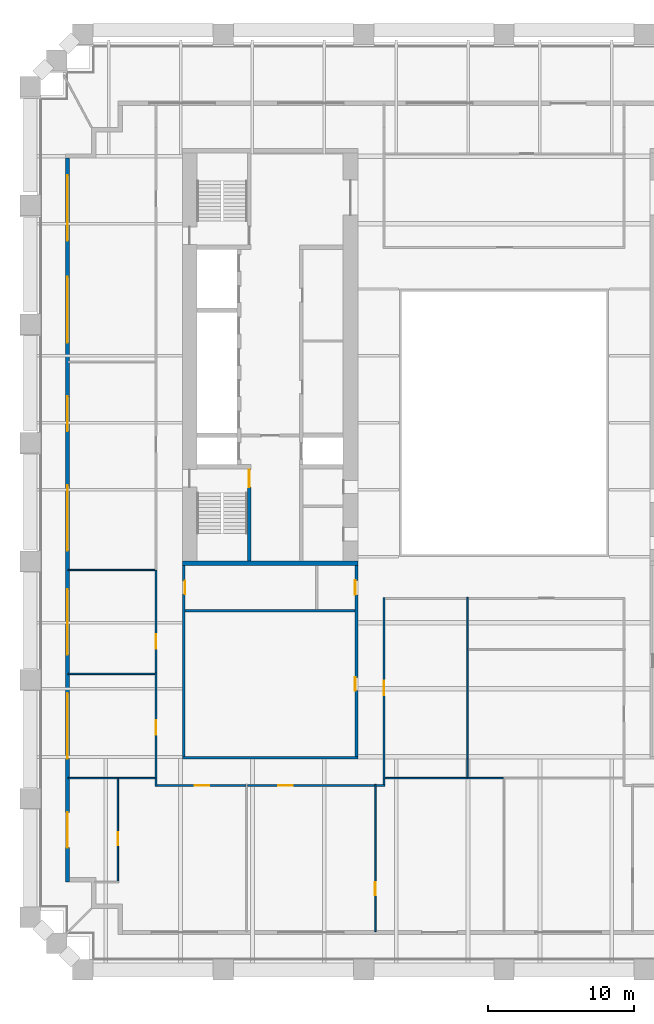
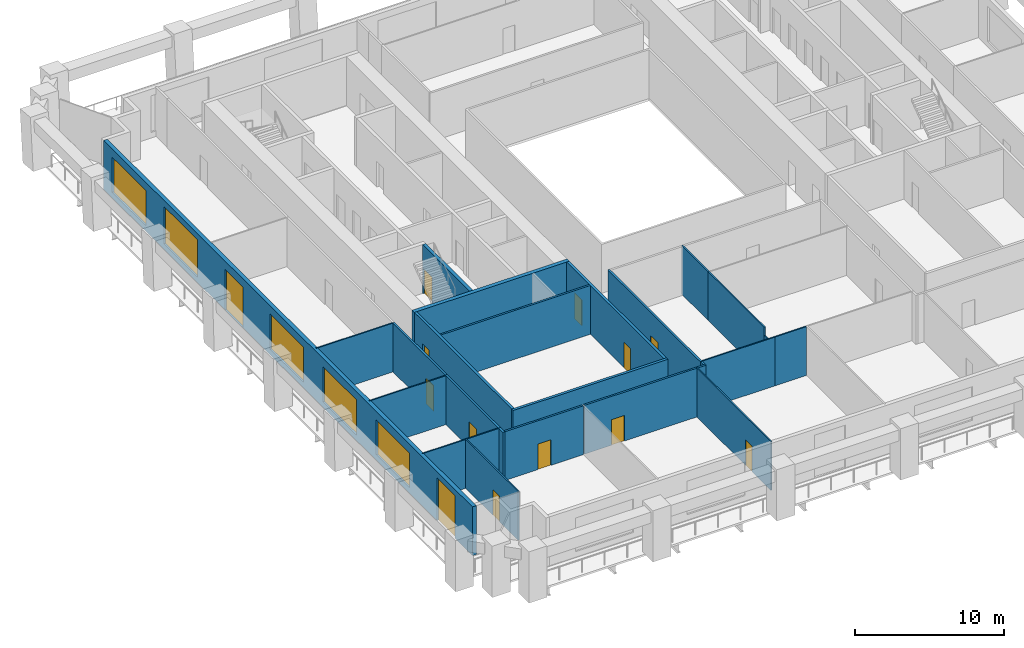
# One storey, part 3 of 9: 26 walls, 13 doors, 5 windows, 18 openings.
"""IFC4 building model written with IfcOpenShell, lengths in metres."""

from ifc_helpers import new_model, si_unit, direction, frame, frame_2d, origin, place, context, subcontext, project, spatial, rectangle, extrude, material, layer, layer_set, type_object, element, fill, save


model = new_model("IFC4")

# Units and contexts
model_context = context("Model", 3, precision=1e-05, world=origin(), true_north=direction((0.0, 1.0)))
body_context = subcontext(model_context, "Body", "Model", "MODEL_VIEW")
ifc_project = project(units=[si_unit("LENGTHUNIT", "METRE"), si_unit("AREAUNIT", "SQUARE_METRE"), si_unit("VOLUMEUNIT", "CUBIC_METRE"), si_unit("PLANEANGLEUNIT", "RADIAN"), si_unit("MASSUNIT", "GRAM", prefix="KILO")], contexts=[model_context])

# Site, building, storey
site_placement = place(None, origin())
site = spatial("IfcSite", under=ifc_project, at=site_placement, CompositionType="ELEMENT")
building_placement = place(site_placement, origin())
building = spatial("IfcBuilding", under=site, at=building_placement, Name="Ogive Exchange Tower", CompositionType="ELEMENT")
storey_placement = place(building_placement, frame((0.0, 0.0, 56.39990234375)))
storey = spatial("IfcBuildingStorey", under=building, at=storey_placement, Name="L11", CompositionType="ELEMENT", Elevation=56.39990234375)

# Walls
ifc_material_1 = material(Name="Gypsum board partition")
ifc_layer_1 = layer(ifc_material_1, 0.14990234375)
ifc_layer_set_1 = layer_set([ifc_layer_1], Name="Core room partition 150 gypsum")
wall_type_1 = type_object("IfcWallType", Name="Core room partition 150 gypsum", PredefinedType="PARTITIONING", material=ifc_layer_set_1)
wall_1_placement = place(storey_placement, frame((-21.800048828125, -5.85009765625, 0.0), z_axis=(0.0, 0.0, 1.0), x_axis=(1.0, 0.0, 0.0)))
element("IfcWall", 1, at=wall_1_placement, inside=storey, type_object=wall_type_1, Name="W annex S wc strip wall 00", PredefinedType="PARTITIONING", context=body_context, shape_type="SweptSolid", body=[
    extrude(rectangle(XDim=11.60009765625, YDim=0.14990234375, at=frame_2d((5.800048828125, 0.0))), origin(), (0.0, 0.0, 1.0), 4.0),
])
ifc_material_2 = material(Name="Fire partition EI 60 150")
ifc_layer_2 = layer(ifc_material_2, 0.14990234375)
ifc_layer_set_2 = layer_set([ifc_layer_2], Name="Fire partition EI 60 150")
wall_type_2 = type_object("IfcWallType", Name="Fire partition EI 60 150", PredefinedType="PARTITIONING", material=ifc_layer_set_2)
wall_2_placement = place(storey_placement, frame((-23.800048828125, -17.875, 0.0), z_axis=(0.0, 0.0, 1.0), x_axis=(0.0, 1.0, 0.0)))
element("IfcWall", 2, at=wall_2_placement, inside=storey, type_object=wall_type_2, Name="L11-PWL-004", PredefinedType="PARTITIONING", context=body_context, shape_type="SweptSolid", body=[
    extrude(rectangle(XDim=0.5849609375, YDim=0.14990234375, at=frame_2d((0.29248046875, 0.0))), origin(), (0.0, 0.0, 1.0), 4.0),
])

# Wall, opening, door
wall_3_placement = place(storey_placement, frame((-23.800048828125, -17.2900390625, 0.0), z_axis=(0.0, 0.0, 1.0), x_axis=(0.0, 1.0, 0.0)))
wall_3 = element("IfcWall", 3, at=wall_3_placement, inside=storey, type_object=wall_type_2, Name="L11-PWL-006", PredefinedType="PARTITIONING", context=body_context, shape_type="SweptSolid", body=[
    extrude(rectangle(XDim=7.169921875, YDim=0.14990234375, at=frame_2d((3.5849609375, 0.0))), origin(), (0.0, 0.0, 1.0), 4.0),
])
opening_1_placement = place(wall_3_placement, frame((2.969970703125, 0.0, 0.0)))
opening_1 = element("IfcOpeningElement", 4, at=opening_1_placement, cuts=wall_3, Name="Opening L11-I13", PredefinedType="OPENING", context=body_context, shape_type="SweptSolid", body=[
    extrude(rectangle(XDim=1.0, YDim=2.10009765625, at=frame_2d((0.5, 1.050048828125))), frame((0.0, 0.0849609375, 0.0), z_axis=(0.0, -1.0, 0.0), x_axis=(1.0, 0.0, 0.0)), (0.0, 0.0, 1.0), 0.169921875),
])
ifc_material_3 = material(Name="Fire door FD 30S 1000 x 2100")
door_type_1 = type_object("IfcDoorType", Name="Fire door FD 30S 1000 x 2100", OperationType="NOTDEFINED", PredefinedType="DOOR", material=ifc_material_3)
door_1_placement = place(opening_1_placement, origin())
door_1 = element("IfcDoor", 5, at=door_1_placement, inside=storey, type_object=door_type_1, Name="L11-IDR-013", ObjectType="DT3", OperationType="SINGLE_SWING_LEFT", OverallHeight=2.10009765625, OverallWidth=1.0, PredefinedType="DOOR", context=body_context, shape_type="SweptSolid", body=[
    extrude(rectangle(XDim=1.0, YDim=2.10009765625, at=frame_2d((0.5, 1.050048828125))), frame((0.0, 0.02490234375, 0.0), z_axis=(0.0, -1.0, 0.0), x_axis=(1.0, 0.0, 0.0)), (0.0, 0.0, 1.0), 0.050048828125),
])
fill(opening_1, door_1)

wall_4_placement = place(storey_placement, frame((-23.800048828125, -10.1201171875, 0.0), z_axis=(0.0, 0.0, 1.0), x_axis=(0.0, 1.0, 0.0)))
wall_4 = element("IfcWall", 6, at=wall_4_placement, inside=storey, type_object=wall_type_2, Name="L11-PWL-008", PredefinedType="PARTITIONING", context=body_context, shape_type="SweptSolid", body=[
    extrude(rectangle(XDim=7.06005859375, YDim=0.14990234375, at=frame_2d((3.530029296875, 0.0))), origin(), (0.0, 0.0, 1.0), 4.0),
])
opening_2_placement = place(wall_4_placement, frame((1.659912109375, 0.0, 0.0)))
opening_2 = element("IfcOpeningElement", 7, at=opening_2_placement, cuts=wall_4, Name="Opening L11-I12", PredefinedType="OPENING", context=body_context, shape_type="SweptSolid", body=[
    extrude(rectangle(XDim=1.0, YDim=2.10009765625, at=frame_2d((0.5, 1.050048828125))), frame((0.0, 0.0849609375, 0.0), z_axis=(0.0, -1.0, 0.0), x_axis=(1.0, 0.0, 0.0)), (0.0, 0.0, 1.0), 0.169921875),
])
door_2_placement = place(opening_2_placement, origin())
door_2 = element("IfcDoor", 8, at=door_2_placement, inside=storey, type_object=door_type_1, Name="L11-IDR-012", ObjectType="DT3", OperationType="SINGLE_SWING_RIGHT", OverallHeight=2.10009765625, OverallWidth=1.0, PredefinedType="DOOR", context=body_context, shape_type="SweptSolid", body=[
    extrude(rectangle(XDim=1.0, YDim=2.10009765625, at=frame_2d((0.5, 1.050048828125))), frame((0.0, 0.02490234375, 0.0), z_axis=(0.0, -1.0, 0.0), x_axis=(1.0, 0.0, 0.0)), (0.0, 0.0, 1.0), 0.050048828125),
])
fill(opening_2, door_2)

wall_5_placement = place(storey_placement, frame((-17.64990234375, -17.800048828125, 0.0), z_axis=(0.0, 0.0, 1.0), x_axis=(-1.0, 0.0, 0.0)))
wall_5 = element("IfcWall", 9, at=wall_5_placement, inside=storey, type_object=wall_type_2, Name="L11-PWL-015", PredefinedType="PARTITIONING", context=body_context, shape_type="SweptSolid", body=[
    extrude(rectangle(XDim=6.0751953125, YDim=0.14990234375, at=frame_2d((3.03759765625, 0.0))), origin(), (0.0, 0.0, 1.0), 4.0),
])
opening_3_placement = place(wall_5_placement, frame((2.5, 0.0, 0.0)))
opening_3 = element("IfcOpeningElement", 10, at=opening_3_placement, cuts=wall_5, Name="Opening L11-I20", PredefinedType="OPENING", context=body_context, shape_type="SweptSolid", body=[
    extrude(rectangle(XDim=1.0, YDim=2.10009765625, at=frame_2d((0.5, 1.050048828125))), frame((0.0, 0.0849609375, 0.0), z_axis=(0.0, -1.0, 0.0), x_axis=(1.0, 0.0, 0.0)), (0.0, 0.0, 1.0), 0.169921875),
])
door_3_placement = place(opening_3_placement, origin())
door_3 = element("IfcDoor", 11, at=door_3_placement, inside=storey, type_object=door_type_1, Name="L11-IDR-020", ObjectType="DT3", OperationType="SINGLE_SWING_RIGHT", OverallHeight=2.10009765625, OverallWidth=1.0, PredefinedType="DOOR", context=body_context, shape_type="SweptSolid", body=[
    extrude(rectangle(XDim=1.0, YDim=2.10009765625, at=frame_2d((0.5, 1.050048828125))), frame((0.0, 0.02490234375, 0.0), z_axis=(0.0, -1.0, 0.0), x_axis=(1.0, 0.0, 0.0)), (0.0, 0.0, 1.0), 0.050048828125),
])
fill(opening_3, door_3)

wall_6_placement = place(storey_placement, frame((-8.85009765625, -17.800048828125, 0.0), z_axis=(0.0, 0.0, 1.0), x_axis=(-1.0, 0.0, 0.0)))
wall_6 = element("IfcWall", 12, at=wall_6_placement, inside=storey, type_object=wall_type_2, Name="L11-PWL-017", PredefinedType="PARTITIONING", context=body_context, shape_type="SweptSolid", body=[
    extrude(rectangle(XDim=8.699951171875, YDim=0.14990234375, at=frame_2d((4.35009765625, 0.0))), origin(), (0.0, 0.0, 1.0), 4.0),
])
opening_4_placement = place(wall_6_placement, frame((5.60009765625, 0.0, 0.0)))
opening_4 = element("IfcOpeningElement", 13, at=opening_4_placement, cuts=wall_6, Name="Opening L11-I19", PredefinedType="OPENING", context=body_context, shape_type="SweptSolid", body=[
    extrude(rectangle(XDim=1.0, YDim=2.10009765625, at=frame_2d((0.5, 1.050048828125))), frame((0.0, 0.0849609375, 0.0), z_axis=(0.0, -1.0, 0.0), x_axis=(1.0, 0.0, 0.0)), (0.0, 0.0, 1.0), 0.169921875),
])
door_4_placement = place(opening_4_placement, origin())
door_4 = element("IfcDoor", 14, at=door_4_placement, inside=storey, type_object=door_type_1, Name="L11-IDR-019", ObjectType="DT3", OperationType="SINGLE_SWING_LEFT", OverallHeight=2.10009765625, OverallWidth=1.0, PredefinedType="DOOR", context=body_context, shape_type="SweptSolid", body=[
    extrude(rectangle(XDim=1.0, YDim=2.10009765625, at=frame_2d((0.5, 1.050048828125))), frame((0.0, 0.02490234375, 0.0), z_axis=(0.0, -1.0, 0.0), x_axis=(1.0, 0.0, 0.0)), (0.0, 0.0, 1.0), 0.050048828125),
])
fill(opening_4, door_4)

# Walls
wall_7_placement = place(storey_placement, frame((-8.125, -17.800048828125, 0.0), z_axis=(0.0, 0.0, 1.0), x_axis=(-1.0, 0.0, 0.0)))
element("IfcWall", 15, at=wall_7_placement, inside=storey, type_object=wall_type_2, Name="L11-PWL-019", PredefinedType="PARTITIONING", context=body_context, shape_type="SweptSolid", body=[
    extrude(rectangle(XDim=0.625, YDim=0.14990234375, at=frame_2d((0.3125, 0.0))), origin(), (0.0, 0.0, 1.0), 4.0),
])
wall_8_placement = place(storey_placement, frame((-8.199951171875, -17.340087890625, 0.0), z_axis=(0.0, 0.0, 1.0), x_axis=(0.0, -1.0, 0.0)))
element("IfcWall", 16, at=wall_8_placement, inside=storey, type_object=wall_type_2, Name="L11-PWL-020", PredefinedType="PARTITIONING", context=body_context, shape_type="SweptSolid", body=[
    extrude(rectangle(XDim=0.385009765625, YDim=0.14990234375, at=frame_2d((0.1923828125, 0.0))), origin(), (0.0, 0.0, 1.0), 4.0),
])

# Wall, opening, door
wall_9_placement = place(storey_placement, frame((-8.199951171875, -4.925048828125, 0.0), z_axis=(0.0, 0.0, 1.0), x_axis=(0.0, -1.0, 0.0)))
wall_9 = element("IfcWall", 17, at=wall_9_placement, inside=storey, type_object=wall_type_2, Name="L11-PWL-021", PredefinedType="PARTITIONING", context=body_context, shape_type="SweptSolid", body=[
    extrude(rectangle(XDim=12.4150390625, YDim=0.14990234375, at=frame_2d((6.20751953125, 0.0))), origin(), (0.0, 0.0, 1.0), 4.0),
])
opening_5_placement = place(wall_9_placement, frame((5.715087890625, 0.0, 0.0)))
opening_5 = element("IfcOpeningElement", 18, at=opening_5_placement, cuts=wall_9, Name="Opening L11-I10", PredefinedType="OPENING", context=body_context, shape_type="SweptSolid", body=[
    extrude(rectangle(XDim=1.0, YDim=2.10009765625, at=frame_2d((0.5, 1.050048828125))), frame((0.0, 0.0849609375, 0.0), z_axis=(0.0, -1.0, 0.0), x_axis=(1.0, 0.0, 0.0)), (0.0, 0.0, 1.0), 0.169921875),
])
door_5_placement = place(opening_5_placement, origin())
door_5 = element("IfcDoor", 19, at=door_5_placement, inside=storey, type_object=door_type_1, Name="L11-IDR-010", ObjectType="DT3", OperationType="SINGLE_SWING_LEFT", OverallHeight=2.10009765625, OverallWidth=1.0, PredefinedType="DOOR", context=body_context, shape_type="SweptSolid", body=[
    extrude(rectangle(XDim=1.0, YDim=2.10009765625, at=frame_2d((0.5, 1.050048828125))), frame((0.0, 0.02490234375, 0.0), z_axis=(0.0, -1.0, 0.0), x_axis=(1.0, 0.0, 0.0)), (0.0, 0.0, 1.0), 0.050048828125),
])
fill(opening_5, door_5)

# Wall, openings, doors, windows
ifc_material_4 = material(Name="Precast concrete C40/50", Category="concrete")
ifc_layer_3 = layer(ifc_material_4, 0.300048828125)
ifc_layer_set_3 = layer_set([ifc_layer_3], Name="Limestone-faced wall 300")
wall_type_3 = type_object("IfcWallType", Name="Limestone-faced wall 300", PredefinedType="STANDARD", material=ifc_layer_set_3)
wall_10_placement = place(storey_placement, frame((-29.85009765625, 25.10009765625, 0.0), z_axis=(0.0, 0.0, 1.0), x_axis=(0.0, -1.0, 0.0)))
wall_10 = element("IfcWall", 20, at=wall_10_placement, inside=storey, type_object=wall_type_3, Name="External wall W4", PredefinedType="STANDARD", context=body_context, shape_type="SweptSolid", body=[
    extrude(rectangle(XDim=49.5, YDim=0.300048828125, at=frame_2d((24.75, 0.0))), origin(), (0.0, 0.0, 1.0), 4.0),
])
opening_6_placement = place(wall_10_placement, frame((1.156982421875, 0.0, 0.449951171875)))
opening_6 = element("IfcOpeningElement", 21, at=opening_6_placement, cuts=wall_10, Name="Opening W1D", PredefinedType="OPENING", context=body_context, shape_type="SweptSolid", body=[
    extrude(rectangle(XDim=4.5, YDim=2.875, at=frame_2d((2.25, 1.4375))), frame((0.0, 0.159912109375, 0.0), z_axis=(0.0, -1.0, 0.0), x_axis=(1.0, 0.0, 0.0)), (0.0, 0.0, 1.0), 0.320068359375),
])
opening_7_placement = place(wall_10_placement, frame((8.121337890625, 0.0, 0.449951171875)))
opening_7 = element("IfcOpeningElement", 22, at=opening_7_placement, cuts=wall_10, Name="Opening W1", PredefinedType="OPENING", context=body_context, shape_type="SweptSolid", body=[
    extrude(rectangle(XDim=4.5, YDim=3.050048828125, at=frame_2d((2.25, 1.52490234375))), frame((0.0, 0.159912109375, 0.0), z_axis=(0.0, -1.0, 0.0), x_axis=(1.0, 0.0, 0.0)), (0.0, 0.0, 1.0), 0.320068359375),
])
opening_8_placement = place(wall_10_placement, frame((16.28564453125, 0.0, 0.0)))
opening_8 = element("IfcOpeningElement", 23, at=opening_8_placement, cuts=wall_10, Name="Opening D1C", PredefinedType="OPENING", context=body_context, shape_type="SweptSolid", body=[
    extrude(rectangle(XDim=2.39990234375, YDim=3.324951171875, at=frame_2d((1.199951171875, 1.66259765625))), frame((0.0, 0.159912109375, 0.0), z_axis=(0.0, -1.0, 0.0), x_axis=(1.0, 0.0, 0.0)), (0.0, 0.0, 1.0), 0.320068359375),
])
opening_9_placement = place(wall_10_placement, frame((22.35009765625, 0.0, 0.449951171875)))
opening_9 = element("IfcOpeningElement", 24, at=opening_9_placement, cuts=wall_10, Name="Opening W1D", PredefinedType="OPENING", context=body_context, shape_type="SweptSolid", body=[
    extrude(rectangle(XDim=4.5, YDim=2.875, at=frame_2d((2.25, 1.4375))), frame((0.0, 0.159912109375, 0.0), z_axis=(0.0, -1.0, 0.0), x_axis=(1.0, 0.0, 0.0)), (0.0, 0.0, 1.0), 0.320068359375),
])
opening_10_placement = place(wall_10_placement, frame((29.464111328125, 0.0, 0.449951171875)))
opening_10 = element("IfcOpeningElement", 25, at=opening_10_placement, cuts=wall_10, Name="Opening W1D", PredefinedType="OPENING", context=body_context, shape_type="SweptSolid", body=[
    extrude(rectangle(XDim=4.5, YDim=2.875, at=frame_2d((2.25, 1.4375))), frame((0.0, 0.159912109375, 0.0), z_axis=(0.0, -1.0, 0.0), x_axis=(1.0, 0.0, 0.0)), (0.0, 0.0, 1.0), 0.320068359375),
])
opening_11_placement = place(wall_10_placement, frame((36.57861328125, 0.0, 0.449951171875)))
opening_11 = element("IfcOpeningElement", 26, at=opening_11_placement, cuts=wall_10, Name="Opening W1E", PredefinedType="OPENING", context=body_context, shape_type="SweptSolid", body=[
    extrude(rectangle(XDim=4.5, YDim=2.824951171875, at=frame_2d((2.25, 1.41259765625))), frame((0.0, 0.159912109375, 0.0), z_axis=(0.0, -1.0, 0.0), x_axis=(1.0, 0.0, 0.0)), (0.0, 0.0, 1.0), 0.320068359375),
])
opening_12_placement = place(wall_10_placement, frame((44.742919921875, 0.0, 0.0)))
opening_12 = element("IfcOpeningElement", 27, at=opening_12_placement, cuts=wall_10, Name="Opening D1", PredefinedType="OPENING", context=body_context, shape_type="SweptSolid", body=[
    extrude(rectangle(XDim=2.39990234375, YDim=3.5, at=frame_2d((1.199951171875, 1.75))), frame((0.0, 0.159912109375, 0.0), z_axis=(0.0, -1.0, 0.0), x_axis=(1.0, 0.0, 0.0)), (0.0, 0.0, 1.0), 0.320068359375),
])
ifc_material_5 = material(Name="Clear glass in bronze frame", Category="glass")
door_type_2 = type_object("IfcDoorType", Name="Sliding loggia door 2400 x 3325", OperationType="DOUBLE_DOOR_SLIDING", PredefinedType="DOOR", material=ifc_material_5)
door_6_placement = place(opening_8_placement, origin())
door_6 = element("IfcDoor", 28, at=door_6_placement, inside=storey, type_object=door_type_2, Name="Loggia door W02", OperationType="DOUBLE_DOOR_SLIDING", OverallHeight=3.324951171875, OverallWidth=2.39990234375, PredefinedType="DOOR", context=body_context, shape_type="SweptSolid", body=[
    extrude(rectangle(XDim=2.39990234375, YDim=3.324951171875, at=frame_2d((1.199951171875, 1.66259765625))), frame((0.0, 0.02490234375, 0.0), z_axis=(0.0, -1.0, 0.0), x_axis=(1.0, 0.0, 0.0)), (0.0, 0.0, 1.0), 0.050048828125),
])
fill(opening_8, door_6)
door_type_3 = type_object("IfcDoorType", Name="Sliding loggia door 2400 x 3500", OperationType="DOUBLE_DOOR_SLIDING", PredefinedType="DOOR", material=ifc_material_5)
door_7_placement = place(opening_12_placement, origin())
door_7 = element("IfcDoor", 29, at=door_7_placement, inside=storey, type_object=door_type_3, Name="Loggia door W06", OperationType="DOUBLE_DOOR_SLIDING", OverallHeight=3.5, OverallWidth=2.39990234375, PredefinedType="DOOR", context=body_context, shape_type="SweptSolid", body=[
    extrude(rectangle(XDim=2.39990234375, YDim=3.5, at=frame_2d((1.199951171875, 1.75))), frame((0.0, 0.02490234375, 0.0), z_axis=(0.0, -1.0, 0.0), x_axis=(1.0, 0.0, 0.0)), (0.0, 0.0, 1.0), 0.050048828125),
])
fill(opening_12, door_7)
window_type_1 = type_object("IfcWindowType", Name="Twin lancet window 4500 x 2825", PartitioningType="DOUBLE_PANEL_VERTICAL", PredefinedType="WINDOW", material=ifc_material_5)
window_1_placement = place(opening_11_placement, origin())
window_1 = element("IfcWindow", 30, at=window_1_placement, inside=storey, type_object=window_type_1, Name="Window W05", OverallHeight=2.824951171875, OverallWidth=4.5, PartitioningType="DOUBLE_PANEL_VERTICAL", PredefinedType="WINDOW", context=body_context, shape_type="SweptSolid", body=[
    extrude(rectangle(XDim=4.5, YDim=2.824951171875, at=frame_2d((2.25, 1.41259765625))), frame((0.0, 0.030029296875, 0.0), z_axis=(0.0, -1.0, 0.0), x_axis=(1.0, 0.0, 0.0)), (0.0, 0.0, 1.0), 0.06005859375),
])
fill(opening_11, window_1)
window_type_2 = type_object("IfcWindowType", Name="Twin lancet window 4500 x 2875", PartitioningType="DOUBLE_PANEL_VERTICAL", PredefinedType="WINDOW", material=ifc_material_5)
window_2_placement = place(opening_6_placement, origin())
window_2 = element("IfcWindow", 31, at=window_2_placement, inside=storey, type_object=window_type_2, Name="Window W00", OverallHeight=2.875, OverallWidth=4.5, PartitioningType="DOUBLE_PANEL_VERTICAL", PredefinedType="WINDOW", context=body_context, shape_type="SweptSolid", body=[
    extrude(rectangle(XDim=4.5, YDim=2.875, at=frame_2d((2.25, 1.4375))), frame((0.0, 0.030029296875, 0.0), z_axis=(0.0, -1.0, 0.0), x_axis=(1.0, 0.0, 0.0)), (0.0, 0.0, 1.0), 0.06005859375),
])
fill(opening_6, window_2)
window_3_placement = place(opening_9_placement, origin())
window_3 = element("IfcWindow", 32, at=window_3_placement, inside=storey, type_object=window_type_2, Name="Window W03", OverallHeight=2.875, OverallWidth=4.5, PartitioningType="DOUBLE_PANEL_VERTICAL", PredefinedType="WINDOW", context=body_context, shape_type="SweptSolid", body=[
    extrude(rectangle(XDim=4.5, YDim=2.875, at=frame_2d((2.25, 1.4375))), frame((0.0, 0.030029296875, 0.0), z_axis=(0.0, -1.0, 0.0), x_axis=(1.0, 0.0, 0.0)), (0.0, 0.0, 1.0), 0.06005859375),
])
fill(opening_9, window_3)
window_4_placement = place(opening_10_placement, origin())
window_4 = element("IfcWindow", 33, at=window_4_placement, inside=storey, type_object=window_type_2, Name="Window W04", OverallHeight=2.875, OverallWidth=4.5, PartitioningType="DOUBLE_PANEL_VERTICAL", PredefinedType="WINDOW", context=body_context, shape_type="SweptSolid", body=[
    extrude(rectangle(XDim=4.5, YDim=2.875, at=frame_2d((2.25, 1.4375))), frame((0.0, 0.030029296875, 0.0), z_axis=(0.0, -1.0, 0.0), x_axis=(1.0, 0.0, 0.0)), (0.0, 0.0, 1.0), 0.06005859375),
])
fill(opening_10, window_4)
window_type_3 = type_object("IfcWindowType", Name="Twin lancet window 4500 x 3050", PartitioningType="DOUBLE_PANEL_VERTICAL", PredefinedType="WINDOW", material=ifc_material_5)
window_5_placement = place(opening_7_placement, origin())
window_5 = element("IfcWindow", 34, at=window_5_placement, inside=storey, type_object=window_type_3, Name="Window W01", OverallHeight=3.050048828125, OverallWidth=4.5, PartitioningType="DOUBLE_PANEL_VERTICAL", PredefinedType="WINDOW", context=body_context, shape_type="SweptSolid", body=[
    extrude(rectangle(XDim=4.5, YDim=3.050048828125, at=frame_2d((2.25, 1.52490234375))), frame((0.0, 0.030029296875, 0.0), z_axis=(0.0, -1.0, 0.0), x_axis=(1.0, 0.0, 0.0)), (0.0, 0.0, 1.0), 0.06005859375),
])
fill(opening_7, window_5)

# Wall, opening, door
ifc_material_6 = material(Name="Partition 100 gypsum")
ifc_layer_4 = layer(ifc_material_6, 0.10009765625)
ifc_layer_set_4 = layer_set([ifc_layer_4], Name="Partition 100 gypsum")
wall_type_4 = type_object("IfcWallType", Name="Partition 100 gypsum", PredefinedType="PARTITIONING", material=ifc_layer_set_4)
wall_11_placement = place(storey_placement, frame((-26.39990234375, -24.360107421875, 0.0), z_axis=(0.0, 0.0, 1.0), x_axis=(0.0, 1.0, 0.0)))
wall_11 = element("IfcWall", 35, at=wall_11_placement, inside=storey, type_object=wall_type_4, Name="L11-PWL-002", PredefinedType="PARTITIONING", context=body_context, shape_type="SweptSolid", body=[
    extrude(rectangle(XDim=7.1201171875, YDim=0.10009765625, at=frame_2d((3.56005859375, 0.0))), origin(), (0.0, 0.0, 1.0), 4.0),
])
opening_13_placement = place(wall_11_placement, frame((2.469970703125, 0.0, 0.0)))
opening_13 = element("IfcOpeningElement", 36, at=opening_13_placement, cuts=wall_11, Name="Opening L11-I21", PredefinedType="OPENING", context=body_context, shape_type="SweptSolid", body=[
    extrude(rectangle(XDim=0.89990234375, YDim=2.10009765625, at=frame_2d((0.449951171875, 1.050048828125))), frame((0.0, 0.06005859375, 0.0), z_axis=(0.0, -1.0, 0.0), x_axis=(1.0, 0.0, 0.0)), (0.0, 0.0, 1.0), 0.1201171875),
])
ifc_material_7 = material(Name="Door 900 x 2100")
door_type_4 = type_object("IfcDoorType", Name="Door 900 x 2100", OperationType="NOTDEFINED", PredefinedType="DOOR", material=ifc_material_7)
door_8_placement = place(opening_13_placement, origin())
door_8 = element("IfcDoor", 37, at=door_8_placement, inside=storey, type_object=door_type_4, Name="L11-IDR-021", ObjectType="DT1", OperationType="SINGLE_SWING_RIGHT", OverallHeight=2.10009765625, OverallWidth=0.89990234375, PredefinedType="DOOR", context=body_context, shape_type="SweptSolid", body=[
    extrude(rectangle(XDim=0.89990234375, YDim=2.10009765625, at=frame_2d((0.449951171875, 1.050048828125))), frame((0.0, 0.02490234375, 0.0), z_axis=(0.0, -1.0, 0.0), x_axis=(1.0, 0.0, 0.0)), (0.0, 0.0, 1.0), 0.050048828125),
])
fill(opening_13, door_8)

# Walls
wall_12_placement = place(storey_placement, frame((-26.449951171875, -17.2900390625, 0.0), z_axis=(0.0, 0.0, 1.0), x_axis=(-1.0, 0.0, 0.0)))
element("IfcWall", 38, at=wall_12_placement, inside=storey, type_object=wall_type_4, Name="L11-PWL-003", PredefinedType="PARTITIONING", context=body_context, shape_type="SweptSolid", body=[
    extrude(rectangle(XDim=3.35009765625, YDim=0.10009765625, at=frame_2d((1.675048828125, 0.0))), origin(), (0.0, 0.0, 1.0), 4.0),
])
wall_13_placement = place(storey_placement, frame((-23.875, -17.2900390625, 0.0), z_axis=(0.0, 0.0, 1.0), x_axis=(-1.0, 0.0, 0.0)))
element("IfcWall", 39, at=wall_13_placement, inside=storey, type_object=wall_type_4, Name="L11-PWL-005", PredefinedType="PARTITIONING", context=body_context, shape_type="SweptSolid", body=[
    extrude(rectangle(XDim=2.47509765625, YDim=0.10009765625, at=frame_2d((1.237548828125, 0.0))), origin(), (0.0, 0.0, 1.0), 4.0),
])
for number, where, z_axis, x_axis, name in (
    (40, (-23.875, -10.169921875, 0.0), (0.0, 0.0, 1.0), (-1.0, 0.0, 0.0), "L11-PWL-007"),
    (41, (-23.875, -3.06005859375, 0.0), (0.0, 0.0, 1.0), (-1.0, 0.0, 0.0), "L11-PWL-009"),
):
    element("IfcWall", number, at=place(storey_placement, frame(where, z_axis=z_axis, x_axis=x_axis)), inside=storey, type_object=wall_type_4, Name=name, PredefinedType="PARTITIONING", context=body_context, shape_type="SweptSolid", body=[
        extrude(rectangle(XDim=5.925048828125, YDim=0.10009765625, at=frame_2d((2.96240234375, 0.0))), origin(), (0.0, 0.0, 1.0), 4.0),
    ])

# Wall, opening, door
wall_14_placement = place(storey_placement, frame((-8.800048828125, -27.800048828125, 0.0), z_axis=(0.0, 0.0, 1.0), x_axis=(0.0, 1.0, 0.0)))
wall_14 = element("IfcWall", 42, at=wall_14_placement, inside=storey, type_object=wall_type_4, Name="L11-PWL-016", PredefinedType="PARTITIONING", context=body_context, shape_type="SweptSolid", body=[
    extrude(rectangle(XDim=10.074951171875, YDim=0.10009765625, at=frame_2d((5.03759765625, 0.0))), origin(), (0.0, 0.0, 1.0), 4.0),
])
opening_14_placement = place(wall_14_placement, frame((2.5, 0.0, 0.0)))
opening_14 = element("IfcOpeningElement", 43, at=opening_14_placement, cuts=wall_14, Name="Opening L11-I18", PredefinedType="OPENING", context=body_context, shape_type="SweptSolid", body=[
    extrude(rectangle(XDim=0.89990234375, YDim=2.10009765625, at=frame_2d((0.449951171875, 1.050048828125))), frame((0.0, 0.06005859375, 0.0), z_axis=(0.0, -1.0, 0.0), x_axis=(1.0, 0.0, 0.0)), (0.0, 0.0, 1.0), 0.1201171875),
])
door_9_placement = place(opening_14_placement, origin())
door_9 = element("IfcDoor", 44, at=door_9_placement, inside=storey, type_object=door_type_4, Name="L11-IDR-018", ObjectType="DT1", OperationType="SINGLE_SWING_RIGHT", OverallHeight=2.10009765625, OverallWidth=0.89990234375, PredefinedType="DOOR", context=body_context, shape_type="SweptSolid", body=[
    extrude(rectangle(XDim=0.89990234375, YDim=2.10009765625, at=frame_2d((0.449951171875, 1.050048828125))), frame((0.0, 0.02490234375, 0.0), z_axis=(0.0, -1.0, 0.0), x_axis=(1.0, 0.0, 0.0)), (0.0, 0.0, 1.0), 0.050048828125),
])
fill(opening_14, door_9)

# Walls
wall_15_placement = place(storey_placement, frame((-2.449951171875, -17.2900390625, 0.0), z_axis=(0.0, 0.0, 1.0), x_axis=(-1.0, 0.0, 0.0)))
element("IfcWall", 45, at=wall_15_placement, inside=storey, type_object=wall_type_4, Name="L11-PWL-026", PredefinedType="PARTITIONING", context=body_context, shape_type="SweptSolid", body=[
    extrude(rectangle(XDim=5.675048828125, YDim=0.10009765625, at=frame_2d((2.83740234375, 0.0))), origin(), (0.0, 0.0, 1.0), 4.0),
])
wall_16_placement = place(storey_placement, frame((-2.5, -17.239990234375, 0.0), z_axis=(0.0, 0.0, 1.0), x_axis=(0.0, 1.0, 0.0)))
element("IfcWall", 46, at=wall_16_placement, inside=storey, type_object=wall_type_4, Name="L11-PWL-027", PredefinedType="PARTITIONING", context=body_context, shape_type="SweptSolid", body=[
    extrude(rectangle(XDim=1.244873046875, YDim=0.10009765625, at=frame_2d((0.62255859375, 0.0))), origin(), (0.0, 0.0, 1.0), 3.322021484375),
])
wall_17_placement = place(storey_placement, frame((-2.5, -8.449951171875, 0.0), z_axis=(0.0, 0.0, 1.0), x_axis=(0.0, 1.0, 0.0)))
element("IfcWall", 47, at=wall_17_placement, inside=storey, type_object=wall_type_4, Name="L11-PWL-028", PredefinedType="PARTITIONING", context=body_context, shape_type="SweptSolid", body=[
    extrude(rectangle(XDim=3.52490234375, YDim=0.10009765625, at=frame_2d((1.762451171875, 0.0))), origin(), (0.0, 0.0, 1.0), 4.0),
])
wall_18_placement = place(storey_placement, frame((-0.050048828125, -17.2900390625, 0.0), z_axis=(0.0, 0.0, 1.0), x_axis=(-1.0, 0.0, 0.0)))
element("IfcWall", 48, at=wall_18_placement, inside=storey, type_object=wall_type_4, Name="L11-PWL-032", PredefinedType="PARTITIONING", context=body_context, shape_type="SweptSolid", body=[
    extrude(rectangle(XDim=2.449951171875, YDim=0.10009765625, at=frame_2d((1.22509765625, 0.0))), origin(), (0.0, 0.0, 1.0), 4.0),
])
wall_19_placement = place(storey_placement, frame((-2.5, -15.9951171875, 0.0), z_axis=(0.0, 0.0, 1.0), x_axis=(0.0, 1.0, 0.0)))
element("IfcWall", 49, at=wall_19_placement, inside=storey, type_object=wall_type_4, Name="L11-PWL-027", PredefinedType="PARTITIONING", context=body_context, shape_type="SweptSolid", body=[
    extrude(rectangle(XDim=7.545166015625, YDim=0.10009765625, at=frame_2d((3.7724609375, 0.0))), origin(), (0.0, 0.0, 1.0), 4.0),
])

# Wall, opening, door
ifc_material_8 = material(Name="Concrete C70/85", Category="concrete")
ifc_layer_5 = layer(ifc_material_8, 0.199951171875)
ifc_layer_set_5 = layer_set([ifc_layer_5], Name="RC core wall 200 C70/85")
wall_type_5 = type_object("IfcWallType", Name="RC core wall 200 C70/85", PredefinedType="SHEAR", material=ifc_layer_set_5)
wall_20_placement = place(storey_placement, frame((-21.89990234375, -15.800048828125, 0.0), z_axis=(0.0, 0.0, 1.0), x_axis=(0.0, 1.0, 0.0)))
wall_20 = element("IfcWall", 50, at=wall_20_placement, inside=storey, type_object=wall_type_5, Name="W annex S outer wall", PredefinedType="SHEAR", context=body_context, shape_type="SweptSolid", body=[
    extrude(rectangle(XDim=13.050048828125, YDim=0.199951171875, at=frame_2d((6.52490234375, 0.0))), origin(), (0.0, 0.0, 1.0), 4.0),
])
opening_15_placement = place(wall_20_placement, frame((11.08740234375, 0.0, 0.0)))
opening_15 = element("IfcOpeningElement", 51, at=opening_15_placement, cuts=wall_20, Name="Opening L11-C21", PredefinedType="OPENING", context=body_context, shape_type="SweptSolid", body=[
    extrude(rectangle(XDim=0.89990234375, YDim=2.10009765625, at=frame_2d((0.449951171875, 1.050048828125))), frame((0.0, 0.10986328125, 0.0), z_axis=(0.0, -1.0, 0.0), x_axis=(1.0, 0.0, 0.0)), (0.0, 0.0, 1.0), 0.219970703125),
])
ifc_material_9 = material(Name="Timber fire door", Category="wood")
door_type_5 = type_object("IfcDoorType", Name="Core room door FD30S 900 x 2100", OperationType="NOTDEFINED", PredefinedType="DOOR", material=ifc_material_9)
door_10_placement = place(opening_15_placement, frame((0.89990234375, -0.14990234375, 0.0), z_axis=(0.0, 0.0, 1.0), x_axis=(-1.0, 0.0, 0.0)))
door_10 = element("IfcDoor", 52, at=door_10_placement, inside=storey, type_object=door_type_5, Name="Core room door", ObjectType="CD6", OperationType="SINGLE_SWING_LEFT", OverallHeight=2.10009765625, OverallWidth=0.89990234375, PredefinedType="DOOR", context=body_context, shape_type="SweptSolid", body=[
    extrude(rectangle(XDim=0.89990234375, YDim=2.10009765625, at=frame_2d((0.449951171875, 1.050048828125))), frame((0.0, -0.0498046875, 0.0), z_axis=(0.0, -1.0, 0.0), x_axis=(1.0, 0.0, 0.0)), (0.0, 0.0, 1.0), 0.050048828125),
])
fill(opening_15, door_10)

# Wall, openings, doors
wall_21_placement = place(storey_placement, frame((-10.10009765625, -15.800048828125, 0.0), z_axis=(0.0, 0.0, 1.0), x_axis=(0.0, 1.0, 0.0)))
wall_21 = element("IfcWall", 53, at=wall_21_placement, inside=storey, type_object=wall_type_5, Name="W annex S inner wall", PredefinedType="SHEAR", context=body_context, shape_type="SweptSolid", body=[
    extrude(rectangle(XDim=13.050048828125, YDim=0.199951171875, at=frame_2d((6.52490234375, 0.0))), origin(), (0.0, 0.0, 1.0), 4.0),
])
opening_16_placement = place(wall_21_placement, frame((4.487548828125, 0.0, 0.0)))
opening_16 = element("IfcOpeningElement", 54, at=opening_16_placement, cuts=wall_21, Name="Opening L11-C19", PredefinedType="OPENING", context=body_context, shape_type="SweptSolid", body=[
    extrude(rectangle(XDim=0.89990234375, YDim=2.10009765625, at=frame_2d((0.449951171875, 1.050048828125))), frame((0.0, 0.10986328125, 0.0), z_axis=(0.0, -1.0, 0.0), x_axis=(1.0, 0.0, 0.0)), (0.0, 0.0, 1.0), 0.219970703125),
])
opening_17_placement = place(wall_21_placement, frame((11.03759765625, 0.0, 0.0)))
opening_17 = element("IfcOpeningElement", 55, at=opening_17_placement, cuts=wall_21, Name="Opening L11-C20", PredefinedType="OPENING", context=body_context, shape_type="SweptSolid", body=[
    extrude(rectangle(XDim=1.0, YDim=2.10009765625, at=frame_2d((0.5, 1.050048828125))), frame((0.0, 0.10986328125, 0.0), z_axis=(0.0, -1.0, 0.0), x_axis=(1.0, 0.0, 0.0)), (0.0, 0.0, 1.0), 0.219970703125),
])
door_type_6 = type_object("IfcDoorType", Name="Accessible WC door FD30S 1000 x 2100", OperationType="NOTDEFINED", PredefinedType="DOOR", material=ifc_material_9)
door_11_placement = place(opening_17_placement, origin())
door_11 = element("IfcDoor", 56, at=door_11_placement, inside=storey, type_object=door_type_6, Name="Accessible WC door", ObjectType="CD7", OperationType="SINGLE_SWING_RIGHT", OverallHeight=2.10009765625, OverallWidth=1.0, PredefinedType="DOOR", context=body_context, shape_type="SweptSolid", body=[
    extrude(rectangle(XDim=1.0, YDim=2.10009765625, at=frame_2d((0.5, 1.050048828125))), frame((0.0, 0.10009765625, 0.0), z_axis=(0.0, -1.0, 0.0), x_axis=(1.0, 0.0, 0.0)), (0.0, 0.0, 1.0), 0.050048828125),
])
fill(opening_17, door_11)
ifc_material_10 = material(Name="Steel fire door", Category="steel")
door_type_7 = type_object("IfcDoorType", Name="Riser door FD60 900 x 2100", OperationType="NOTDEFINED", PredefinedType="DOOR", material=ifc_material_10)
door_12_placement = place(opening_16_placement, origin())
door_12 = element("IfcDoor", 57, at=door_12_placement, inside=storey, type_object=door_type_7, Name="Riser door", ObjectType="CD2", OperationType="SINGLE_SWING_LEFT", OverallHeight=2.10009765625, OverallWidth=0.89990234375, PredefinedType="DOOR", context=body_context, shape_type="SweptSolid", body=[
    extrude(rectangle(XDim=0.89990234375, YDim=2.10009765625, at=frame_2d((0.449951171875, 1.050048828125))), frame((0.0, 0.10009765625, 0.0), z_axis=(0.0, -1.0, 0.0), x_axis=(1.0, 0.0, 0.0)), (0.0, 0.0, 1.0), 0.050048828125),
])
fill(opening_16, door_12)

# Wall
wall_22_placement = place(storey_placement, frame((-22.0, -15.89990234375, 0.0), z_axis=(0.0, 0.0, 1.0), x_axis=(1.0, 0.0, 0.0)))
element("IfcWall", 58, at=wall_22_placement, inside=storey, type_object=wall_type_5, Name="W annex S end wall", PredefinedType="SHEAR", context=body_context, shape_type="SweptSolid", body=[
    extrude(rectangle(XDim=12.0, YDim=0.199951171875, at=frame_2d((6.0, 0.0))), origin(), (0.0, 0.0, 1.0), 4.0),
])

# Wall, opening, door
ifc_layer_6 = layer(ifc_material_8, 0.25)
ifc_layer_set_6 = layer_set([ifc_layer_6], Name="RC core wall 250 C70/85")
wall_type_6 = type_object("IfcWallType", Name="RC core wall 250 C70/85", PredefinedType="SHEAR", material=ifc_layer_set_6)
wall_23_placement = place(storey_placement, frame((-17.425048828125, -2.449951171875, 0.0), z_axis=(0.0, 0.0, 1.0), x_axis=(0.0, 1.0, 0.0)))
wall_23 = element("IfcWall", 59, at=wall_23_placement, inside=storey, type_object=wall_type_6, Name="W stair S front wall", PredefinedType="SHEAR", context=body_context, shape_type="SweptSolid", body=[
    extrude(rectangle(XDim=6.300048828125, YDim=0.25, at=frame_2d((3.14990234375, 0.0))), origin(), (0.0, 0.0, 1.0), 4.0),
])
opening_18_placement = place(wall_23_placement, frame((5.050048828125, 0.0, 0.0)))
opening_18 = element("IfcOpeningElement", 60, at=opening_18_placement, cuts=wall_23, Name="Opening L11-C13", PredefinedType="OPENING", context=body_context, shape_type="SweptSolid", body=[
    extrude(rectangle(XDim=1.199951171875, YDim=2.10009765625, at=frame_2d((0.60009765625, 1.050048828125))), frame((0.0, 0.135009765625, 0.0), z_axis=(0.0, -1.0, 0.0), x_axis=(1.0, 0.0, 0.0)), (0.0, 0.0, 1.0), 0.27001953125),
])
door_type_8 = type_object("IfcDoorType", Name="Stair door FD90 1200 x 2100", OperationType="NOTDEFINED", PredefinedType="DOOR", material=ifc_material_10)
door_13_placement = place(opening_18_placement, origin())
door_13 = element("IfcDoor", 61, at=door_13_placement, inside=storey, type_object=door_type_8, Name="Stair door", ObjectType="CD5", OperationType="SINGLE_SWING_LEFT", OverallHeight=2.10009765625, OverallWidth=1.199951171875, PredefinedType="DOOR", context=body_context, shape_type="SweptSolid", body=[
    extrude(rectangle(XDim=1.199951171875, YDim=2.10009765625, at=frame_2d((0.60009765625, 1.050048828125))), frame((0.0, 0.02490234375, 0.0), z_axis=(0.0, -1.0, 0.0), x_axis=(1.0, 0.0, 0.0)), (0.0, 0.0, 1.0), 0.050048828125),
])
fill(opening_18, door_13)

# Wall
ifc_layer_7 = layer(ifc_material_8, 0.300048828125)
ifc_layer_set_7 = layer_set([ifc_layer_7], Name="RC core wall 300 C70/85")
wall_type_7 = type_object("IfcWallType", Name="RC core wall 300 C70/85", PredefinedType="SHEAR", material=ifc_layer_set_7)
wall_24_placement = place(storey_placement, frame((-22.0, -2.60009765625, 0.0), z_axis=(0.0, 0.0, 1.0), x_axis=(1.0, 0.0, 0.0)))
element("IfcWall", 62, at=wall_24_placement, inside=storey, type_object=wall_type_7, Name="W south end wall", PredefinedType="SHEAR", context=body_context, shape_type="SweptSolid", body=[
    extrude(rectangle(XDim=12.0, YDim=0.300048828125, at=frame_2d((6.0, 0.0))), origin(), (0.0, 0.0, 1.0), 4.0),
])

save(model, "model.ifc")
